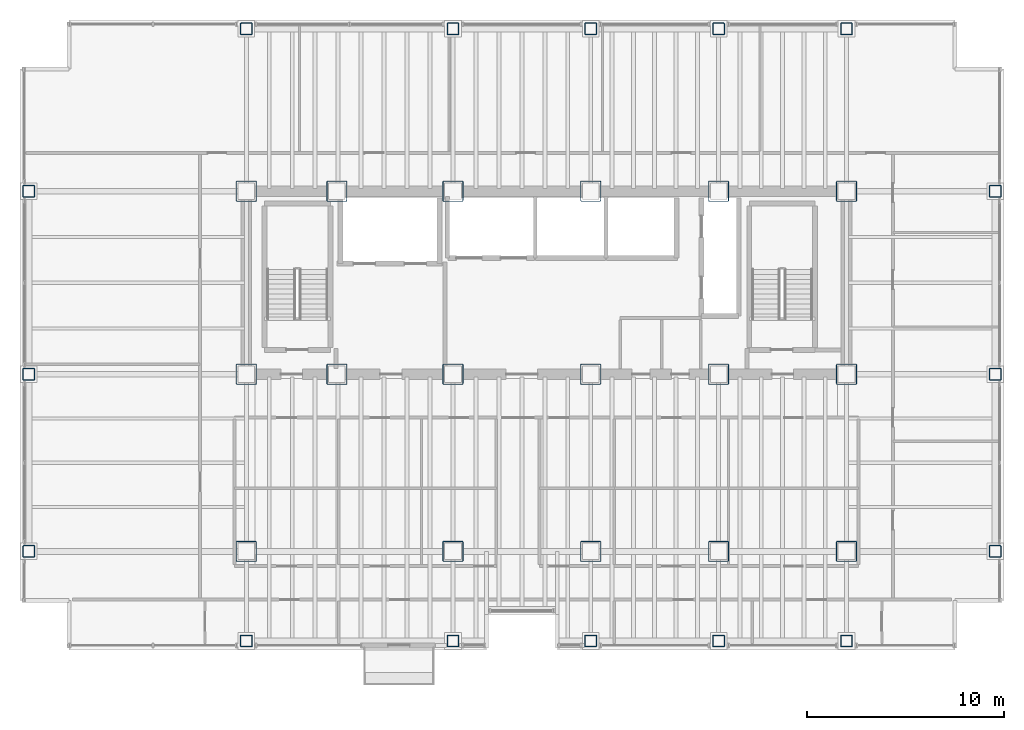
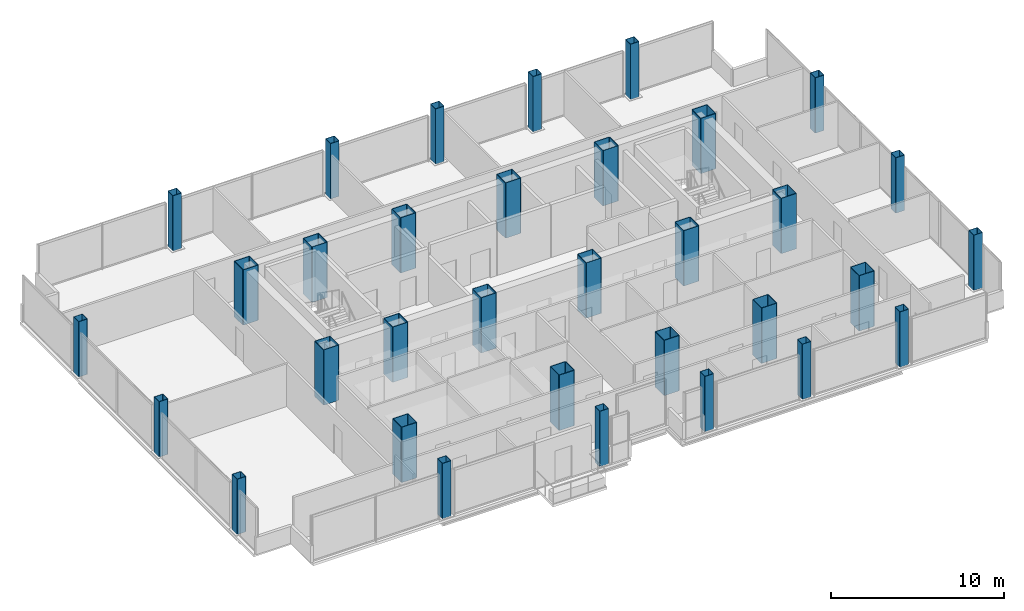
# One storey, part 1 of 21: 33 columns.
"""IFC4 building model written with IfcOpenShell, lengths in metres."""

import ifcopenshell
import ifcopenshell.guid

model = None  # the IFC model being written
_history = None  # IfcOwnerHistory: only IFC2X3 demands one
_inside = {}  # id of a spatial element -> (the spatial element, [elements in it])
_under = {}  # id of a project, library or spatial element -> (it, [spatial elements below it])
_declared = {}  # id of a project -> (the project, [libraries it declares])
_typed = {}  # id of a type object -> (the type object, [elements of that type])
_made_of = {}  # id of a material, layer set ... -> (it, [elements and type objects made of it])


def new_model(schema):
    """Start an empty IFC model of exactly this schema.

    Asked for "IFC4X3", IfcOpenShell would pick the latest addendum, in which some entities
    have other attributes; the version numbers below select the first issue.
    IFC2X3 requires an IfcOwnerHistory on every rooted entity: one is made here for all.
    """
    global model, _history
    if schema == "IFC4X3":
        model = ifcopenshell.file(schema_version=(4, 3, 0, 0))
    else:
        model = ifcopenshell.file(schema=schema)
    _inside.clear()
    _under.clear()
    _declared.clear()
    _typed.clear()
    _made_of.clear()
    _history = None
    if model.schema == "IFC2X3":
        org = make("IfcOrganization", Name="unknown")
        user = make(
            "IfcPersonAndOrganization",
            ThePerson=make("IfcPerson", FamilyName="unknown"),
            TheOrganization=org,
        )
        app = make(
            "IfcApplication",
            ApplicationDeveloper=org,
            Version="unknown",
            ApplicationFullName="unknown",
            ApplicationIdentifier="unknown",
        )
        _history = make(
            "IfcOwnerHistory",
            OwningUser=user,
            OwningApplication=app,
            ChangeAction="ADDED",
            CreationDate=0,
        )
    return model


def make(cls, **values):
    """One entity of the class cls with the attributes given. An attribute that is None is left unset."""
    return model.create_entity(
        cls, **{name: value for name, value in values.items() if value is not None}
    )


def rooted(cls, **values):
    """An entity with a GlobalId (a new one), such as an element, a storey or a relation."""
    return make(cls, GlobalId=ifcopenshell.guid.new(), OwnerHistory=_history, **values)


def si_unit(unit_type, name, prefix=None):
    """IfcSIUnit, for example si_unit("LENGTHUNIT", "METRE", prefix="MILLI")."""
    return make("IfcSIUnit", UnitType=unit_type, Prefix=prefix, Name=name)


def assignment(units):
    """IfcUnitAssignment: the units of a project."""
    return None if units is None else make("IfcUnitAssignment", Units=units)


def point(xyz):
    """IfcCartesianPoint."""
    return None if xyz is None else make("IfcCartesianPoint", Coordinates=xyz)


def direction(xyz):
    """IfcDirection."""
    return None if xyz is None else make("IfcDirection", DirectionRatios=xyz)


def frame(location, z_axis=None, x_axis=None):
    """IfcAxis2Placement3D, a coordinate frame: its origin and axes. An axis left out is left unset."""
    return make(
        "IfcAxis2Placement3D",
        Location=point(location),
        Axis=direction(z_axis),
        RefDirection=direction(x_axis),
    )


def frame_2d(location, x_axis=None):
    """IfcAxis2Placement2D, a coordinate frame in the plane: its origin and x axis."""
    return make(
        "IfcAxis2Placement2D", Location=point(location), RefDirection=direction(x_axis)
    )


def origin():
    """The frame at (0, 0, 0) with its axes left unset."""
    return frame((0.0, 0.0, 0.0))


def origin_2d():
    """The frame at (0, 0) in the plane with its x axis left unset."""
    return frame_2d((0.0, 0.0))


def place(relative_to, where):
    """IfcLocalPlacement: puts the frame where relative to a parent placement (None: the world)."""
    return make(
        "IfcLocalPlacement", PlacementRelTo=relative_to, RelativePlacement=where
    )


def context(
    kind, dimensions, precision=None, world=None, true_north=None, identifier=None
):
    """IfcGeometricRepresentationContext, for example the 3D "Model" context."""
    return make(
        "IfcGeometricRepresentationContext",
        ContextIdentifier=identifier,
        ContextType=kind,
        CoordinateSpaceDimension=dimensions,
        Precision=precision,
        WorldCoordinateSystem=world,
        TrueNorth=true_north,
    )


def subcontext(parent, identifier, kind, view, scale=None):
    """IfcGeometricRepresentationSubContext, for example "Body" below "Model"."""
    return make(
        "IfcGeometricRepresentationSubContext",
        ContextIdentifier=identifier,
        ContextType=kind,
        ParentContext=parent,
        TargetScale=scale,
        TargetView=view,
    )


def project(units=None, contexts=None):
    """IfcProject with its units and contexts."""
    return rooted(
        "IfcProject",
        Name="project",
        RepresentationContexts=contexts,
        UnitsInContext=assignment(units),
    )


def spatial(cls, under=None, at=None, **own):
    """A site, building, storey or space (cls), placed at a placement, below another one or the project."""
    s = rooted(cls, ObjectPlacement=at, **own)
    if under is not None:
        _under.setdefault(under.id(), (under, []))[1].append(s)
    return s


def profile(cls, at=None, kind="AREA", **sizes):
    """A parametric profile (cls). Its sizes go by their IFC names, for example OverallWidth=200.0."""
    return make(cls, ProfileType=kind, Position=at, **sizes)


def hollow_rectangle(**sizes):
    """IfcRectangleHollowProfileDef."""
    return profile("IfcRectangleHollowProfileDef", **sizes)


def extrude(swept, where, along, depth):
    """IfcExtrudedAreaSolid: the profile swept, set in the frame where, extruded along a direction by depth."""
    return make(
        "IfcExtrudedAreaSolid",
        SweptArea=swept,
        Position=where,
        ExtrudedDirection=direction(along),
        Depth=depth,
    )


def shape(context_of_items, identifier, shape_type, items):
    """IfcShapeRepresentation: the items that make up one representation, for example the "Body"."""
    return make(
        "IfcShapeRepresentation",
        ContextOfItems=context_of_items,
        RepresentationIdentifier=identifier,
        RepresentationType=shape_type,
        Items=items,
    )


def material(Name=None, Category=None):
    """IfcMaterial."""
    return make("IfcMaterial", Name=Name, Category=Category)


def material_profile(
    of_material, cross_section, Name=None, Category=None, Priority=None
):
    """IfcMaterialProfile: a cross section and its material."""
    return make(
        "IfcMaterialProfile",
        Name=Name,
        Material=of_material,
        Profile=cross_section,
        Priority=Priority,
        Category=Category,
    )


def profile_set(profiles, Name=None, composite=None):
    """IfcMaterialProfileSet."""
    return make(
        "IfcMaterialProfileSet",
        Name=Name,
        MaterialProfiles=profiles,
        CompositeProfile=composite,
    )


def made_of(thing, what):
    """Note that an element or type object is made of a material, layer set ...; save() writes the relation."""
    if what is not None:
        _made_of.setdefault(what.id(), (what, []))[1].append(thing)
    return thing


def type_object(cls, material=None, **own):
    """A type object (cls), such as IfcWallType, which elements share."""
    return made_of(rooted(cls, **own), material)


def element(
    cls,
    number,
    at=None,
    inside=None,
    cuts=None,
    type_object=None,
    material=None,
    context=None,
    identifier="Body",
    shape_type=None,
    held_by="IfcProductDefinitionShape",
    body=None,
    shapes=None,
    **own,
):
    """One element of the class cls, such as IfcWall. Its Tag is "e" and its number.

    at: its placement. inside: the storey or other place that contains it. cuts: it is an
    opening in that element (IfcRelVoidsElement). A single representation is given by context,
    identifier, shape_type and body (its items); several are given by shapes. held_by: the class
    of the entity that holds the representations. save() writes the other relations.
    """
    e = rooted(cls, Tag="e%d" % number, ObjectPlacement=at, **own)
    if body is not None:
        shapes = [shape(context, identifier, shape_type, body)]
    if shapes is not None:
        e.Representation = make(held_by, Representations=shapes)
    if inside is not None:
        _inside.setdefault(inside.id(), (inside, []))[1].append(e)
    if cuts is not None:
        rooted(
            "IfcRelVoidsElement", RelatingBuildingElement=cuts, RelatedOpeningElement=e
        )
    if type_object is not None:
        _typed.setdefault(type_object.id(), (type_object, []))[1].append(e)
    return made_of(e, material)


def aggregate(whole, parts):
    """IfcRelAggregates: a whole, such as a stair, and the parts it consists of."""
    return rooted("IfcRelAggregates", RelatingObject=whole, RelatedObjects=parts)


def save(model, path):
    """Write the relations noted so far, then the file.

    IfcRelAggregates (storeys below a building ...), IfcRelContainedInSpatialStructure (elements
    in a storey), IfcRelDefinesByType, IfcRelAssociatesMaterial and IfcRelDeclares: one each for
    every whole, place, type object, material and project.
    """
    for whole, parts in _under.values():
        aggregate(whole, parts)
    for where, things in _inside.values():
        rooted(
            "IfcRelContainedInSpatialStructure",
            RelatedElements=things,
            RelatingStructure=where,
        )
    for kind, things in _typed.values():
        rooted("IfcRelDefinesByType", RelatedObjects=things, RelatingType=kind)
    for what, things in _made_of.values():
        rooted("IfcRelAssociatesMaterial", RelatedObjects=things, RelatingMaterial=what)
    for by, libraries in _declared.values():
        rooted("IfcRelDeclares", RelatingContext=by, RelatedDefinitions=libraries)
    model.write(path)


model = new_model("IFC4")

# Units and contexts
model_context = context("Model", 3, precision=1e-05, world=origin(), true_north=direction((0.0, 1.0)))
body_context = subcontext(model_context, "Body", "Model", "MODEL_VIEW")
ifc_project = project(units=[si_unit("LENGTHUNIT", "METRE"), si_unit("AREAUNIT", "SQUARE_METRE"), si_unit("VOLUMEUNIT", "CUBIC_METRE"), si_unit("PLANEANGLEUNIT", "RADIAN"), si_unit("MASSUNIT", "GRAM", prefix="KILO")], contexts=[model_context])

# Site, building, storey
site_placement = place(None, origin())
site = spatial("IfcSite", under=ifc_project, at=site_placement, CompositionType="ELEMENT")
building_placement = place(site_placement, origin())
building = spatial("IfcBuilding", under=site, at=building_placement, Name="Noeulbin Bourse Tower", CompositionType="ELEMENT")
storey_placement = place(building_placement, frame((0.0, 0.0, 46.0)))
storey = spatial("IfcBuildingStorey", under=building, at=storey_placement, Name="L11", CompositionType="ELEMENT", Elevation=46.0)

# Columns
ifc_material = material(Name="Steel S460", Category="steel")
ifc_material_profile_1 = material_profile(ifc_material, hollow_rectangle(XDim=0.60009765625, YDim=0.60009765625, WallThickness=0.02587890625, InnerFilletRadius=0.012939453125, OuterFilletRadius=0.0390625, at=origin_2d()), Name="BOX-600x600x26", Category="LoadBearing")
ifc_profile_set_1 = profile_set([ifc_material_profile_1], Name="Steel S460")
column_type_1 = type_object("IfcColumnType", Name="COL-PER-Z1", PredefinedType="COLUMN", material=ifc_profile_set_1)
for number, where, z_axis, x_axis, name in (
    (1, (2.449951171875, 20.0, 0.0), (0.0, 0.0, 1.0), (1.0, 0.0, 0.0), "Tower Perimeter Column COL-PER-Z1 01"),
    (2, (2.449951171875, 29.0, 0.0), (0.0, 0.0, 1.0), (1.0, 0.0, 0.0), "Tower Perimeter Column COL-PER-Z1 02"),
    (3, (2.449951171875, 38.300048828125, 0.0), (0.0, 0.0, 1.0), (1.0, 0.0, 0.0), "Tower Perimeter Column COL-PER-Z1 03"),
    (4, (13.5, 15.449951171875, 0.0), (0.0, 0.0, 1.0), (1.0, 0.0, 0.0), "Tower Perimeter Column COL-PER-Z1 04"),
    (5, (13.5, 46.550048828125, 0.0), (0.0, 0.0, 1.0), (1.0, 0.0, 0.0), "Tower Perimeter Column COL-PER-Z1 05"),
    (6, (24.0, 15.449951171875, 0.0), (0.0, 0.0, 1.0), (1.0, 0.0, 0.0), "Tower Perimeter Column COL-PER-Z1 06"),
    (7, (24.0, 46.550048828125, 0.0), (0.0, 0.0, 1.0), (1.0, 0.0, 0.0), "Tower Perimeter Column COL-PER-Z1 07"),
    (8, (31.0, 15.449951171875, 0.0), (0.0, 0.0, 1.0), (1.0, 0.0, 0.0), "Tower Perimeter Column COL-PER-Z1 08"),
    (9, (31.0, 46.550048828125, 0.0), (0.0, 0.0, 1.0), (1.0, 0.0, 0.0), "Tower Perimeter Column COL-PER-Z1 09"),
    (10, (37.5, 15.449951171875, 0.0), (0.0, 0.0, 1.0), (1.0, 0.0, 0.0), "Tower Perimeter Column COL-PER-Z1 10"),
    (11, (37.5, 46.550048828125, 0.0), (0.0, 0.0, 1.0), (1.0, 0.0, 0.0), "Tower Perimeter Column COL-PER-Z1 11"),
    (12, (44.0, 15.449951171875, 0.0), (0.0, 0.0, 1.0), (1.0, 0.0, 0.0), "Tower Perimeter Column COL-PER-Z1 12"),
    (13, (44.0, 46.550048828125, 0.0), (0.0, 0.0, 1.0), (1.0, 0.0, 0.0), "Tower Perimeter Column COL-PER-Z1 13"),
    (14, (51.550048828125, 20.0, 0.0), (0.0, 0.0, 1.0), (1.0, 0.0, 0.0), "Tower Perimeter Column COL-PER-Z1 14"),
    (15, (51.550048828125, 29.0, 0.0), (0.0, 0.0, 1.0), (1.0, 0.0, 0.0), "Tower Perimeter Column COL-PER-Z1 15"),
    (16, (51.550048828125, 38.300048828125, 0.0), (0.0, 0.0, 1.0), (1.0, 0.0, 0.0), "Tower Perimeter Column COL-PER-Z1 16"),
):
    element("IfcColumn", number, at=place(storey_placement, frame(where, z_axis=z_axis, x_axis=x_axis)), inside=storey, type_object=column_type_1, Name=name, PredefinedType="COLUMN", context=body_context, shape_type="SweptSolid", body=[
        extrude(hollow_rectangle(XDim=0.60009765625, YDim=0.60009765625, WallThickness=0.02587890625, InnerFilletRadius=0.012939453125, OuterFilletRadius=0.0390625, at=origin_2d()), origin(), (0.0, 0.0, 1.0), 3.89990234375),
    ])
ifc_material_profile_2 = material_profile(ifc_material, hollow_rectangle(XDim=1.050048828125, YDim=1.050048828125, WallThickness=0.0380859375, InnerFilletRadius=0.01904296875, OuterFilletRadius=0.056884765625, at=origin_2d()), Name="BOX-1050x1050x38", Category="LoadBearing")
ifc_profile_set_2 = profile_set([ifc_material_profile_2], Name="Steel S460")
column_type_2 = type_object("IfcColumnType", Name="COL-TRK-Z1", PredefinedType="COLUMN", material=ifc_profile_set_2)
for number, where, z_axis, x_axis, name in (
    (17, (13.5, 29.0, 0.0), (0.0, 0.0, 1.0), (1.0, 0.0, 0.0), "Tower Trunk Mega-Column COL-TRK-Z1 01"),
    (18, (13.5, 38.300048828125, 0.0), (0.0, 0.0, 1.0), (1.0, 0.0, 0.0), "Tower Trunk Mega-Column COL-TRK-Z1 02"),
    (19, (18.10009765625, 29.0, 0.0), (0.0, 0.0, 1.0), (1.0, 0.0, 0.0), "Tower Trunk Mega-Column COL-TRK-Z1 03"),
    (20, (18.10009765625, 38.300048828125, 0.0), (0.0, 0.0, 1.0), (1.0, 0.0, 0.0), "Tower Trunk Mega-Column COL-TRK-Z1 04"),
    (21, (24.0, 29.0, 0.0), (0.0, 0.0, 1.0), (1.0, 0.0, 0.0), "Tower Trunk Mega-Column COL-TRK-Z1 05"),
    (22, (24.0, 38.300048828125, 0.0), (0.0, 0.0, 1.0), (1.0, 0.0, 0.0), "Tower Trunk Mega-Column COL-TRK-Z1 06"),
    (23, (31.0, 29.0, 0.0), (0.0, 0.0, 1.0), (1.0, 0.0, 0.0), "Tower Trunk Mega-Column COL-TRK-Z1 07"),
    (24, (31.0, 38.300048828125, 0.0), (0.0, 0.0, 1.0), (1.0, 0.0, 0.0), "Tower Trunk Mega-Column COL-TRK-Z1 08"),
    (25, (37.5, 29.0, 0.0), (0.0, 0.0, 1.0), (1.0, 0.0, 0.0), "Tower Trunk Mega-Column COL-TRK-Z1 09"),
    (26, (37.5, 38.300048828125, 0.0), (0.0, 0.0, 1.0), (1.0, 0.0, 0.0), "Tower Trunk Mega-Column COL-TRK-Z1 10"),
    (27, (44.0, 29.0, 0.0), (0.0, 0.0, 1.0), (1.0, 0.0, 0.0), "Tower Trunk Mega-Column COL-TRK-Z1 11"),
    (28, (44.0, 38.300048828125, 0.0), (0.0, 0.0, 1.0), (1.0, 0.0, 0.0), "Tower Trunk Mega-Column COL-TRK-Z1 12"),
    (29, (13.5, 20.0, 0.0), (0.0, 0.0, 1.0), (1.0, 0.0, 0.0), "Tower Trunk Mega-Column COL-TRK-Z1 13"),
    (30, (24.0, 20.0, 0.0), (0.0, 0.0, 1.0), (1.0, 0.0, 0.0), "Tower Trunk Mega-Column COL-TRK-Z1 14"),
    (31, (31.0, 20.0, 0.0), (0.0, 0.0, 1.0), (1.0, 0.0, 0.0), "Tower Trunk Mega-Column COL-TRK-Z1 15"),
    (32, (37.5, 20.0, 0.0), (0.0, 0.0, 1.0), (1.0, 0.0, 0.0), "Tower Trunk Mega-Column COL-TRK-Z1 16"),
    (33, (44.0, 20.0, 0.0), (0.0, 0.0, 1.0), (1.0, 0.0, 0.0), "Tower Trunk Mega-Column COL-TRK-Z1 17"),
):
    element("IfcColumn", number, at=place(storey_placement, frame(where, z_axis=z_axis, x_axis=x_axis)), inside=storey, type_object=column_type_2, Name=name, PredefinedType="COLUMN", context=body_context, shape_type="SweptSolid", body=[
        extrude(hollow_rectangle(XDim=1.050048828125, YDim=1.050048828125, WallThickness=0.0380859375, InnerFilletRadius=0.01904296875, OuterFilletRadius=0.056884765625, at=origin_2d()), origin(), (0.0, 0.0, 1.0), 3.89990234375),
    ])

save(model, "model.ifc")
